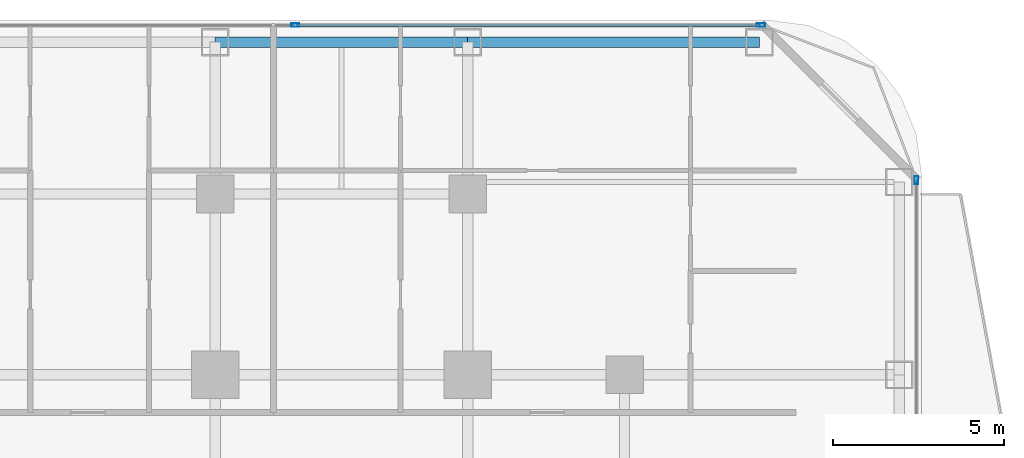
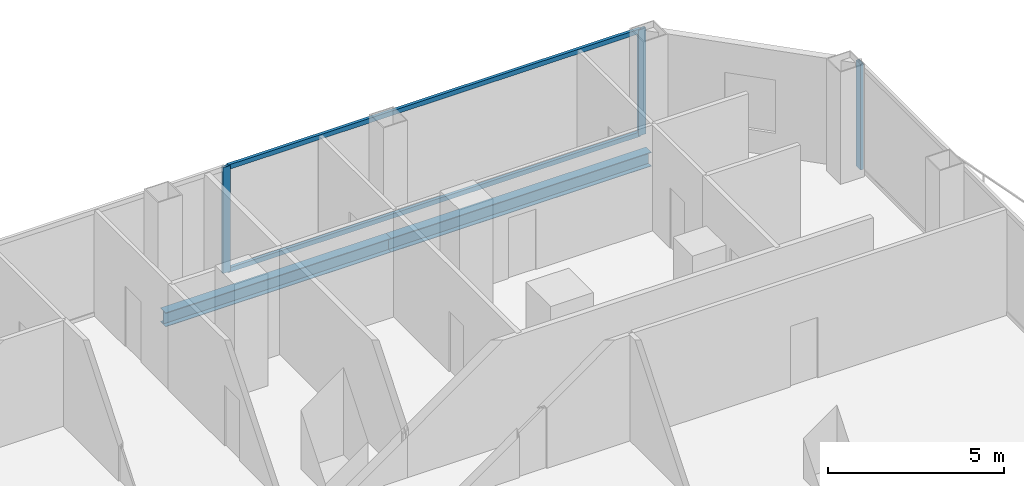
# One storey, part 17 of 28: 5 members, 2 beams, 2 elements without a shape of their own.
"""IFC4 building model written with IfcOpenShell, lengths in metres."""

from ifc_helpers import new_model, si_unit, direction, frame, origin, origin_2d, place, context, subcontext, project, spatial, hollow_rectangle, i_section, extrude, material, layer, layer_set, material_profile, profile_set, type_object, element, aggregate, save


model = new_model("IFC4")

# Units and contexts
model_context = context("Model", 3, precision=1e-05, world=origin(), true_north=direction((0.0, 1.0)))
body_context = subcontext(model_context, "Body", "Model", "MODEL_VIEW")
ifc_project = project(units=[si_unit("LENGTHUNIT", "METRE"), si_unit("AREAUNIT", "SQUARE_METRE"), si_unit("VOLUMEUNIT", "CUBIC_METRE"), si_unit("PLANEANGLEUNIT", "RADIAN"), si_unit("MASSUNIT", "GRAM", prefix="KILO")], contexts=[model_context])

# Site, building, storey
site_placement = place(None, origin())
site = spatial("IfcSite", under=ifc_project, at=site_placement, CompositionType="ELEMENT")
building_placement = place(site_placement, origin())
building = spatial("IfcBuilding", under=site, at=building_placement, Name="Khorvyn Point Tower", CompositionType="ELEMENT")
storey_placement = place(building_placement, frame((0.0, 0.0, 34.5)))
storey = spatial("IfcBuildingStorey", under=building, at=storey_placement, Name="L09", CompositionType="ELEMENT", Elevation=34.5)

# Curtain wall, members
ifc_material_1 = material(Name="Anodised aluminium 6063-T6 and laminated Low-E glass", Category="aluminium")
ifc_layer = layer(ifc_material_1, 0.18994140625)
ifc_layer_set = layer_set([ifc_layer], Name="Stick-Built Finned Residential Curtain Wall CW-SYS-02")
curtain_wall_type = type_object("IfcCurtainWallType", Name="Stick-Built Finned Residential Curtain Wall CW-SYS-02", PredefinedType="NOTDEFINED", material=ifc_layer_set)
curtain_wall_1_placement = place(storey_placement, origin())
curtain_wall_1 = element("IfcCurtainWall", 1, at=curtain_wall_1_placement, inside=storey, type_object=curtain_wall_type, Name="Curtain Wall", PredefinedType="NOTDEFINED")
ifc_material_2 = material(Name="Anodised aluminium 6063-T6", Category="aluminium")
ifc_material_profile_1 = material_profile(ifc_material_2, hollow_rectangle(XDim=0.10009765625, YDim=0.239990234375, WallThickness=0.0048828125, at=origin_2d()))
ifc_profile_set_1 = profile_set([ifc_material_profile_1], Name="Anodised aluminium 6063-T6 ALU-MUL-100x240")
member_type_1 = type_object("IfcMemberType", Name="Anodised Aluminium 6063-T6 Mullion ALU-MUL-100x240", PredefinedType="MULLION", material=ifc_profile_set_1)
member_1_placement = place(storey_placement, frame((9.75, 25.050048828125, 0.0), z_axis=(0.0, 0.0, 1.0), x_axis=(0.0, 1.0, 0.0)))
member_1 = element("IfcMember", 2, at=member_1_placement, type_object=member_type_1, Name="Transom", PredefinedType="MULLION", context=body_context, shape_type="SweptSolid", body=[
    extrude(hollow_rectangle(XDim=0.10009765625, YDim=0.239990234375, WallThickness=0.0048828125, at=origin_2d()), origin(), (0.0, 0.0, 1.0), 3.679931640625),
])
member_2_placement = place(storey_placement, frame((23.39990234375, 25.050048828125, 0.0), z_axis=(0.0, 0.0, 1.0), x_axis=(0.0, 1.0, 0.0)))
member_2 = element("IfcMember", 3, at=member_2_placement, type_object=member_type_1, Name="Transom", PredefinedType="MULLION", context=body_context, shape_type="SweptSolid", body=[
    extrude(hollow_rectangle(XDim=0.10009765625, YDim=0.239990234375, WallThickness=0.0048828125, at=origin_2d()), origin(), (0.0, 0.0, 1.0), 3.679931640625),
])

# Curtain wall, member
curtain_wall_2_placement = place(storey_placement, origin())
curtain_wall_2 = element("IfcCurtainWall", 4, at=curtain_wall_2_placement, inside=storey, type_object=curtain_wall_type, Name="Curtain Wall", PredefinedType="NOTDEFINED")
member_3_placement = place(storey_placement, frame((27.949951171875, 20.5, 0.0), z_axis=(0.0, 0.0, 1.0), x_axis=(1.0, 0.0, 0.0)))
member_3 = element("IfcMember", 5, at=member_3_placement, type_object=member_type_1, Name="Transom", PredefinedType="MULLION", context=body_context, shape_type="SweptSolid", body=[
    extrude(hollow_rectangle(XDim=0.10009765625, YDim=0.239990234375, WallThickness=0.0048828125, at=origin_2d()), origin(), (0.0, 0.0, 1.0), 3.679931640625),
])
aggregate(curtain_wall_2, [member_3])

# Member
ifc_material_profile_2 = material_profile(ifc_material_2, hollow_rectangle(XDim=0.10009765625, YDim=0.159912109375, WallThickness=0.00439453125, at=origin_2d()))
ifc_profile_set_2 = profile_set([ifc_material_profile_2], Name="Anodised aluminium 6063-T6 ALU-TRN-100x160")
member_type_2 = type_object("IfcMemberType", Name="Anodised Aluminium 6063-T6 Transom ALU-TRN-100x160", PredefinedType="USERDEFINED", material=ifc_profile_set_2)
member_4_placement = place(storey_placement, frame((9.800048828125, 25.050048828125, 0.050048828125), z_axis=(1.0, 0.0, 0.0), x_axis=(0.0, 1.0, 0.0)))
member_4 = element("IfcMember", 6, at=member_4_placement, type_object=member_type_2, Name="Transom", ObjectType="TRANSOM", PredefinedType="USERDEFINED", context=body_context, shape_type="SweptSolid", body=[
    extrude(hollow_rectangle(XDim=0.10009765625, YDim=0.159912109375, WallThickness=0.00439453125, at=origin_2d()), origin(), (0.0, 0.0, 1.0), 13.550048828125),
])

member_5_placement = place(storey_placement, frame((9.800048828125, 25.050048828125, 3.6298828125), z_axis=(1.0, 0.0, 0.0), x_axis=(0.0, 1.0, 0.0)))
member_5 = element("IfcMember", 7, at=member_5_placement, type_object=member_type_2, Name="Transom", ObjectType="TRANSOM", PredefinedType="USERDEFINED", context=body_context, shape_type="SweptSolid", body=[
    extrude(hollow_rectangle(XDim=0.10009765625, YDim=0.159912109375, WallThickness=0.00439453125, at=origin_2d()), origin(), (0.0, 0.0, 1.0), 13.550048828125),
])

aggregate(curtain_wall_1, [member_1, member_2, member_4, member_5])

# Beams
ifc_material_3 = material(Name="Steel S355", Category="steel")
ifc_material_profile_3 = material_profile(ifc_material_3, i_section(OverallWidth=0.300048828125, OverallDepth=0.488037109375, WebThickness=0.010986328125, FlangeThickness=0.01806640625, at=origin_2d()))
ifc_profile_set_3 = profile_set([ifc_material_profile_3], Name="Steel S355 H488x300x11x18")
beam_type = type_object("IfcBeamType", Name="Steel S355 Spandrel H488x300x11x18", PredefinedType="SPANDREL", material=ifc_profile_set_3)
beam_1_placement = place(storey_placement, frame((7.39990234375, 24.550048828125, -0.464111328125), z_axis=(1.0, 0.0, 0.0), x_axis=(0.0, 1.0, 0.0)))
element("IfcBeam", 8, at=beam_1_placement, inside=storey, type_object=beam_type, Name="Beam", PredefinedType="SPANDREL", context=body_context, shape_type="SweptSolid", body=[
    extrude(i_section(OverallWidth=0.300048828125, OverallDepth=0.488037109375, WebThickness=0.010986328125, FlangeThickness=0.01806640625, at=origin_2d()), origin(), (0.0, 0.0, 1.0), 7.400146484375),
])
beam_2_placement = place(storey_placement, frame((14.800048828125, 24.550048828125, -0.464111328125), z_axis=(1.0, 0.0, 0.0), x_axis=(0.0, 1.0, 0.0)))
element("IfcBeam", 9, at=beam_2_placement, inside=storey, type_object=beam_type, Name="Beam", PredefinedType="SPANDREL", context=body_context, shape_type="SweptSolid", body=[
    extrude(i_section(OverallWidth=0.300048828125, OverallDepth=0.488037109375, WebThickness=0.010986328125, FlangeThickness=0.01806640625, at=origin_2d()), origin(), (0.0, 0.0, 1.0), 8.550048828125),
])

save(model, "model.ifc")
